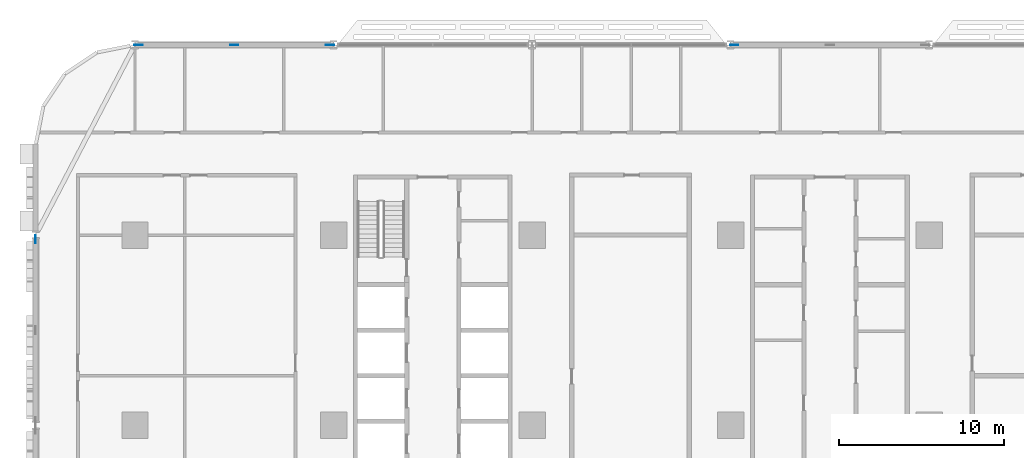
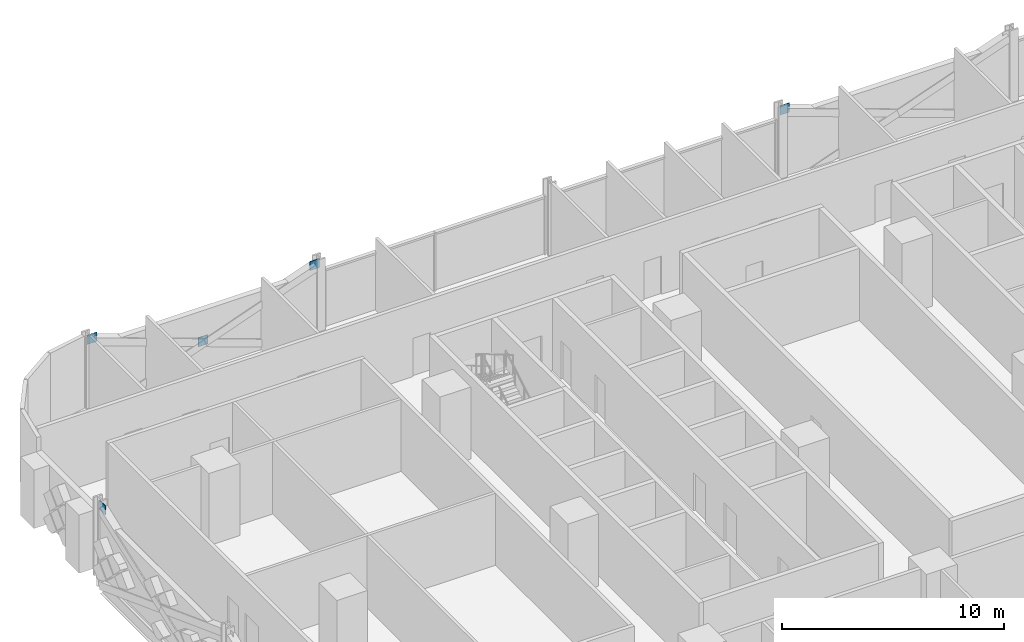
# One storey, part 18 of 27: 5 discrete accessories.
"""IFC4 building model written with IfcOpenShell, lengths in metres."""

from ifc_helpers import new_model, si_unit, direction, frame, origin, origin_2d, place, context, subcontext, project, spatial, rectangle, extrude, material, layer, layer_set, type_object, element, save


model = new_model("IFC4")

# Units and contexts
model_context = context("Model", 3, precision=1e-05, world=origin(), true_north=direction((0.0, 1.0)))
body_context = subcontext(model_context, "Body", "Model", "MODEL_VIEW")
ifc_project = project(units=[si_unit("LENGTHUNIT", "METRE"), si_unit("AREAUNIT", "SQUARE_METRE"), si_unit("VOLUMEUNIT", "CUBIC_METRE"), si_unit("PLANEANGLEUNIT", "RADIAN"), si_unit("MASSUNIT", "GRAM", prefix="KILO")], contexts=[model_context])

# Site, building, storey
site_placement = place(None, origin())
site = spatial("IfcSite", under=ifc_project, at=site_placement, CompositionType="ELEMENT")
building_placement = place(site_placement, origin())
building = spatial("IfcBuilding", under=site, at=building_placement, Name="Mahtab Terrace Research Tower", CompositionType="ELEMENT")
storey_placement = place(building_placement, frame((0.0, 0.0, 28.699951171875)))
storey = spatial("IfcBuildingStorey", under=building, at=storey_placement, Name="L06", CompositionType="ELEMENT", Elevation=28.699951171875)

# Discrete accessories
ifc_material = material(Name="Steel ASTM A992 Gr 50", Category="steel")
ifc_layer = layer(ifc_material, 0.030029296875)
ifc_layer_set = layer_set([ifc_layer], Name="Gusset plate 500x500x30")
discrete_accessory_type = type_object("IfcDiscreteAccessoryType", Name="Gusset plate 500x500x30", PredefinedType="USERDEFINED", material=ifc_layer_set)
for number, where, z_axis, x_axis, name in (
    (1, (-41.7841796875, 23.0, 3.33154296875), (0.0, 0.0, 1.0), (1.0, 0.0, 0.0), "Gusset plate"),
    (2, (-36.0, 23.0, 1.181640625), (0.0, 0.0, 1.0), (1.0, 0.0, 0.0), "Gusset plate"),
    (3, (-30.2158203125, 23.0, 3.33154296875), (0.0, 0.0, 1.0), (1.0, 0.0, 0.0), "Gusset plate"),
    (4, (-5.7841796875, 23.0, 3.33154296875), (0.0, 0.0, 1.0), (1.0, 0.0, 0.0), "Gusset plate"),
    (5, (-48.0, 11.251220703125, 3.33154296875), (0.0, 0.0, 1.0), (0.0, 1.0, 0.0), "Gusset plate"),
):
    element("IfcDiscreteAccessory", number, at=place(storey_placement, frame(where, z_axis=z_axis, x_axis=x_axis)), inside=storey, type_object=discrete_accessory_type, Name=name, ObjectType="GUSSET PLATE", PredefinedType="USERDEFINED", context=body_context, shape_type="SweptSolid", body=[
        extrude(rectangle(XDim=0.5, YDim=0.030029296875, at=origin_2d()), origin(), (0.0, 0.0, 1.0), 0.5),
    ])

save(model, "model.ifc")
